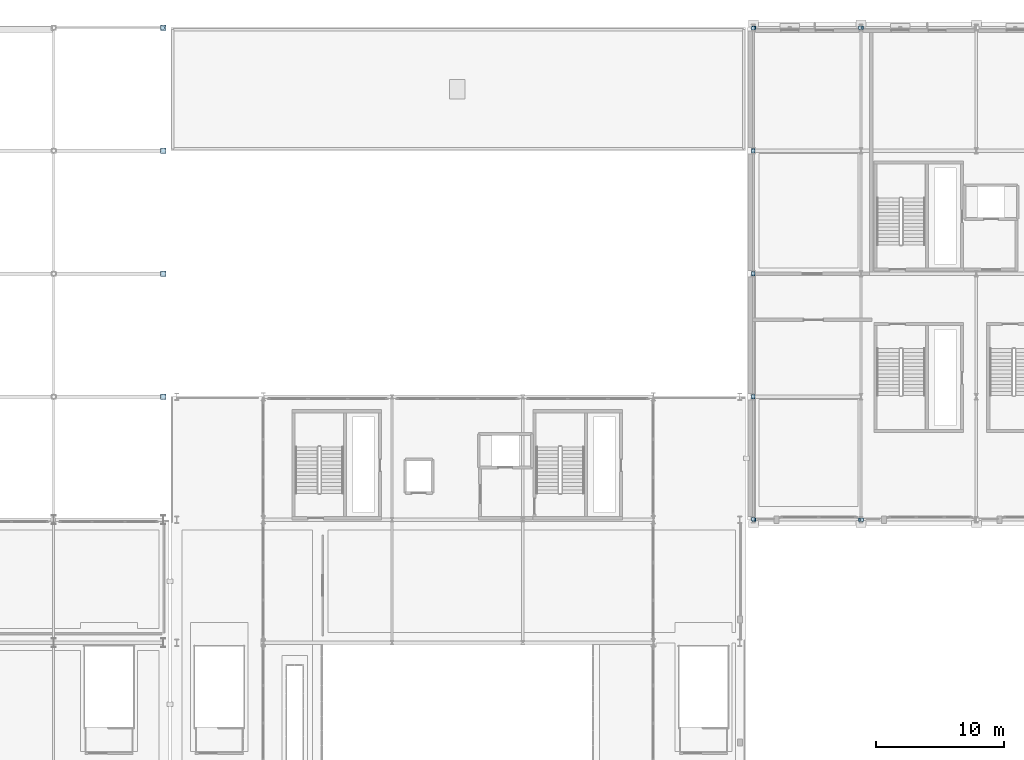
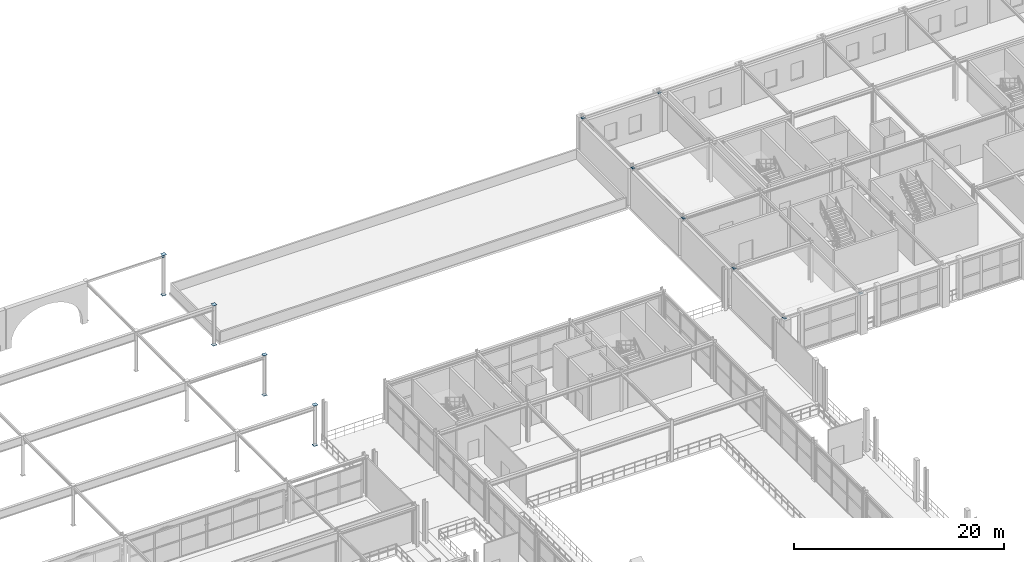
# One storey, part 70 of 125: 23 plates.
"""IFC4 building model written with IfcOpenShell, lengths in metres."""

from ifc_helpers import new_model, si_unit, direction, frame, origin, origin_2d, place, context, subcontext, project, spatial, rectangle, extrude, material, layer, layer_set, type_object, element, save


model = new_model("IFC4")

# Units and contexts
model_context = context("Model", 3, precision=1e-05, world=origin(), true_north=direction((0.0, 1.0)))
body_context = subcontext(model_context, "Body", "Model", "MODEL_VIEW")
ifc_project = project(units=[si_unit("LENGTHUNIT", "METRE"), si_unit("AREAUNIT", "SQUARE_METRE"), si_unit("VOLUMEUNIT", "CUBIC_METRE"), si_unit("PLANEANGLEUNIT", "RADIAN"), si_unit("MASSUNIT", "GRAM", prefix="KILO")], contexts=[model_context])

# Site, building, storey
site_placement = place(None, origin())
site = spatial("IfcSite", under=ifc_project, at=site_placement, CompositionType="ELEMENT")
building_placement = place(site_placement, origin())
building = spatial("IfcBuilding", under=site, at=building_placement, Name="Myrtia Square Station", CompositionType="ELEMENT")
storey_placement = place(building_placement, frame((0.0, 0.0, 6.0)))
storey = spatial("IfcBuildingStorey", under=building, at=storey_placement, Name="L01", CompositionType="ELEMENT", Elevation=6.0)

# Plates
ifc_material = material(Name="Steel S355", Category="steel")
ifc_layer_1 = layer(ifc_material, 0.01611328125, Name="Steel S355")
ifc_layer_set_1 = layer_set([ifc_layer_1], Name="Steel S355")
plate_type_1 = type_object("IfcPlateType", Name="PLT-GUS16", PredefinedType="USERDEFINED", material=ifc_layer_set_1)
for number, where, z_axis, x_axis, name in (
    (1, (71.5, 124.800048828125, 4.421875), (0.0, 0.0, 1.0), (1.0, 0.0, 0.0), "Truss node gusset plate SPN-L01-0139-2"),
    (2, (117.64990234375, 86.39990234375, 4.391845703125), (0.0, 0.0, 1.0), (1.0, 0.0, 0.0), "Truss node gusset plate SPN-L01-0172-1"),
    (3, (125.949951171875, 86.39990234375, 4.391845703125), (0.0, 0.0, 1.0), (1.0, 0.0, 0.0), "Truss node gusset plate SPN-L01-0172-2"),
    (4, (126.050048828125, 86.39990234375, 4.391845703125), (0.0, 0.0, 1.0), (1.0, 0.0, 0.0), "Truss node gusset plate SPN-L01-0173-1"),
    (5, (117.64990234375, 124.800048828125, 4.391845703125), (0.0, 0.0, 1.0), (1.0, 0.0, 0.0), "Truss node gusset plate SPN-L01-0180-1"),
    (6, (125.949951171875, 124.800048828125, 4.391845703125), (0.0, 0.0, 1.0), (1.0, 0.0, 0.0), "Truss node gusset plate SPN-L01-0180-2"),
    (7, (126.050048828125, 124.800048828125, 4.391845703125), (0.0, 0.0, 1.0), (1.0, 0.0, 0.0), "Truss node gusset plate SPN-L01-0181-1"),
    (8, (117.60009765625, 86.449951171875, 4.4169921875), (0.0, 0.0, 1.0), (0.0, 1.0, 0.0), "Truss node gusset plate SPNY-L01-0188-1"),
    (9, (117.60009765625, 95.949951171875, 4.4169921875), (0.0, 0.0, 1.0), (0.0, 1.0, 0.0), "Truss node gusset plate SPNY-L01-0188-2"),
    (10, (117.60009765625, 96.050048828125, 4.4169921875), (0.0, 0.0, 1.0), (0.0, 1.0, 0.0), "Truss node gusset plate SPNY-L01-0189-1"),
    (11, (117.60009765625, 105.550048828125, 4.4169921875), (0.0, 0.0, 1.0), (0.0, 1.0, 0.0), "Truss node gusset plate SPNY-L01-0189-2"),
    (12, (117.60009765625, 105.64990234375, 4.4169921875), (0.0, 0.0, 1.0), (0.0, 1.0, 0.0), "Truss node gusset plate SPNY-L01-0190-1"),
    (13, (117.60009765625, 115.14990234375, 4.4169921875), (0.0, 0.0, 1.0), (0.0, 1.0, 0.0), "Truss node gusset plate SPNY-L01-0190-2"),
    (14, (117.60009765625, 115.25, 4.4169921875), (0.0, 0.0, 1.0), (0.0, 1.0, 0.0), "Truss node gusset plate SPNY-L01-0191-1"),
    (15, (117.60009765625, 124.75, 4.4169921875), (0.0, 0.0, 1.0), (0.0, 1.0, 0.0), "Truss node gusset plate SPNY-L01-0191-2"),
):
    element("IfcPlate", number, at=place(storey_placement, frame(where, z_axis=z_axis, x_axis=x_axis)), inside=storey, type_object=plate_type_1, Name=name, ObjectType="GUSSET PLATE", PredefinedType="USERDEFINED", context=body_context, shape_type="SweptSolid", body=[
        extrude(rectangle(XDim=0.280029296875, YDim=0.280029296875, at=origin_2d()), origin(), (0.0, 0.0, 1.0), 0.01611328125),
    ])
ifc_layer_2 = layer(ifc_material, 0.02001953125, Name="Steel S355")
ifc_layer_set_2 = layer_set([ifc_layer_2], Name="Steel S355")
plate_type_2 = type_object("IfcPlateType", Name="PLT-GUS20", PredefinedType="USERDEFINED", material=ifc_layer_set_2)
for number, where, z_axis, x_axis, name in (
    (16, (71.550048828125, 96.0, -0.010009765625), (0.0, 0.0, 1.0), (1.0, 0.0, 0.0), "Truss node gusset plate COL-L01-0231-1"),
    (17, (71.550048828125, 96.0, 4.669921875), (0.0, 0.0, 1.0), (1.0, 0.0, 0.0), "Truss node gusset plate COL-L01-0231-2"),
    (18, (71.550048828125, 105.60009765625, -0.010009765625), (0.0, 0.0, 1.0), (1.0, 0.0, 0.0), "Truss node gusset plate COL-L01-0234-1"),
    (19, (71.550048828125, 105.60009765625, 4.669921875), (0.0, 0.0, 1.0), (1.0, 0.0, 0.0), "Truss node gusset plate COL-L01-0234-2"),
    (20, (71.550048828125, 115.199951171875, -0.010009765625), (0.0, 0.0, 1.0), (1.0, 0.0, 0.0), "Truss node gusset plate COL-L01-0237-1"),
    (21, (71.550048828125, 115.199951171875, 4.669921875), (0.0, 0.0, 1.0), (1.0, 0.0, 0.0), "Truss node gusset plate COL-L01-0237-2"),
    (22, (71.550048828125, 124.800048828125, -0.010009765625), (0.0, 0.0, 1.0), (1.0, 0.0, 0.0), "Truss node gusset plate COL-L01-0240-1"),
    (23, (71.550048828125, 124.800048828125, 4.669921875), (0.0, 0.0, 1.0), (1.0, 0.0, 0.0), "Truss node gusset plate COL-L01-0240-2"),
):
    element("IfcPlate", number, at=place(storey_placement, frame(where, z_axis=z_axis, x_axis=x_axis)), inside=storey, type_object=plate_type_2, Name=name, ObjectType="GUSSET PLATE", PredefinedType="USERDEFINED", context=body_context, shape_type="SweptSolid", body=[
        extrude(rectangle(XDim=0.419921875, YDim=0.419921875, at=origin_2d()), origin(), (0.0, 0.0, 1.0), 0.02001953125),
    ])

save(model, "model.ifc")
